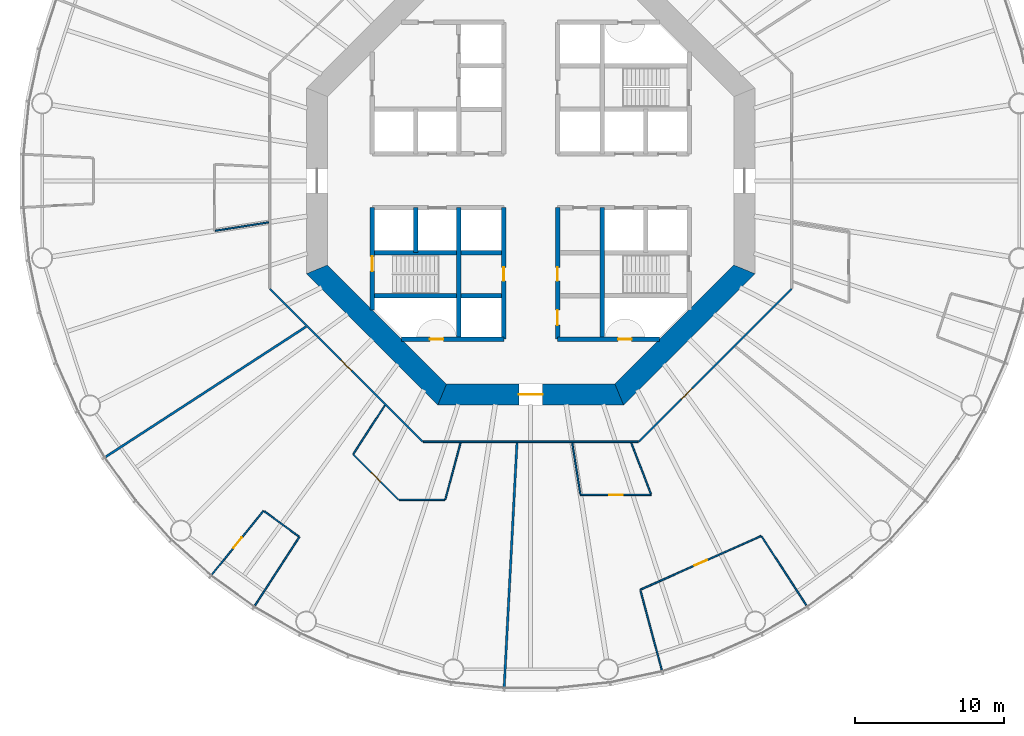
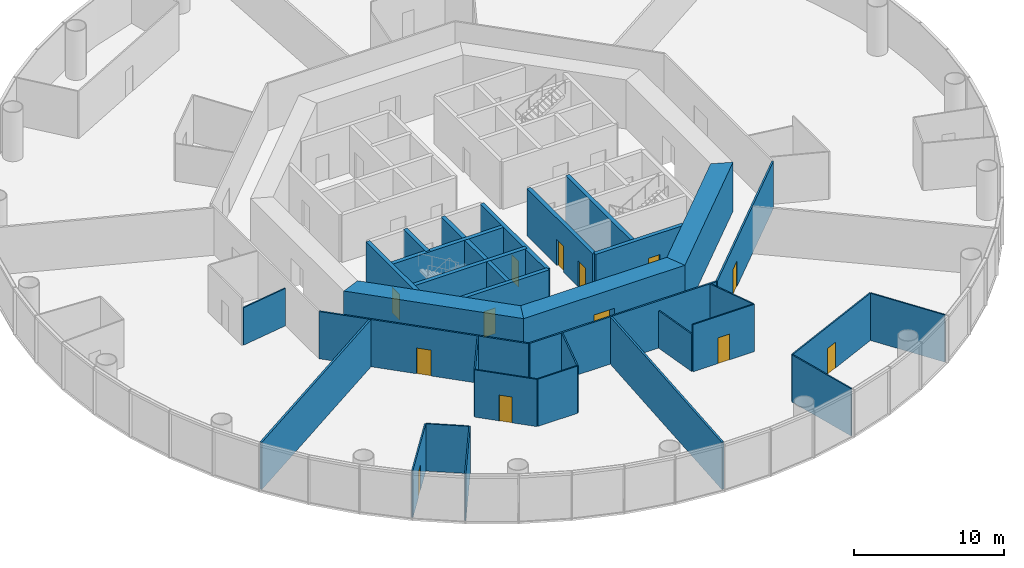
# One storey, part 3 of 13: 32 walls, 13 doors, 13 openings.
"""IFC4 building model written with IfcOpenShell, lengths in metres."""

from ifc_helpers import new_model, si_unit, direction, frame, frame_2d, origin, place, context, subcontext, project, spatial, polyline, rectangle, outline, extrude, material, layer, layer_set, type_object, element, fill, save


model = new_model("IFC4")

# Units and contexts
model_context = context("Model", 3, precision=1e-05, world=origin(), true_north=direction((0.0, 1.0)))
body_context = subcontext(model_context, "Body", "Model", "MODEL_VIEW")
ifc_project = project(units=[si_unit("LENGTHUNIT", "METRE"), si_unit("AREAUNIT", "SQUARE_METRE"), si_unit("VOLUMEUNIT", "CUBIC_METRE"), si_unit("PLANEANGLEUNIT", "RADIAN"), si_unit("MASSUNIT", "GRAM", prefix="KILO")], contexts=[model_context])

# Site, building, storey
site_placement = place(None, origin())
site = spatial("IfcSite", under=ifc_project, at=site_placement, CompositionType="ELEMENT")
building_placement = place(site_placement, origin())
building = spatial("IfcBuilding", under=site, at=building_placement, Name="Entoto Ring Tower", CompositionType="ELEMENT")
storey_placement = place(building_placement, frame((0.0, 0.0, 30.0)))
storey = spatial("IfcBuildingStorey", under=building, at=storey_placement, Name="L05", CompositionType="ELEMENT", Elevation=30.0)

# Wall
ifc_material_1 = material(Name="Concrete C40/50", Category="concrete")
ifc_layer_1 = layer(ifc_material_1, 0.300048828125)
ifc_layer_set_1 = layer_set([ifc_layer_1], Name="Concrete C40/50")
wall_type_1 = type_object("IfcWallType", Name="Core enclosure wall 300 mm reinforced concrete", PredefinedType="SOLIDWALL", material=ifc_layer_set_1)
wall_1_placement = place(storey_placement, frame((94.800048828125, 69.39990234375, 0.0), z_axis=(0.0, 0.0, 1.0), x_axis=(0.0, 1.0, 0.0)))
element("IfcWall", 1, at=wall_1_placement, inside=storey, type_object=wall_type_1, Name="wall-L05-005", PredefinedType="SOLIDWALL", context=body_context, shape_type="SweptSolid", body=[
    extrude(rectangle(XDim=8.800048828125, YDim=0.300048828125, at=frame_2d((4.39990234375, 0.0))), origin(), (0.0, 0.0, 1.0), 3.85009765625),
])

# Wall, openings, doors
wall_2_placement = place(storey_placement, frame((91.800048828125, 69.39990234375, 0.0), z_axis=(0.0, 0.0, 1.0), x_axis=(0.0, 1.0, 0.0)))
wall_2 = element("IfcWall", 2, at=wall_2_placement, inside=storey, type_object=wall_type_1, Name="wall-L05-007", PredefinedType="SOLIDWALL", context=body_context, shape_type="SweptSolid", body=[
    extrude(rectangle(XDim=8.800048828125, YDim=0.300048828125, at=frame_2d((4.39990234375, 0.0))), origin(), (0.0, 0.0, 1.0), 3.85009765625),
])
opening_1_placement = place(wall_2_placement, frame((3.89990234375, 0.0, 0.0)))
opening_1 = element("IfcOpeningElement", 3, at=opening_1_placement, cuts=wall_2, Name="Opening K-12", PredefinedType="OPENING", context=body_context, shape_type="SweptSolid", body=[
    extrude(rectangle(XDim=0.89990234375, YDim=2.10009765625, at=frame_2d((0.449951171875, 1.050048828125))), frame((0.0, 0.16015625, 0.0), z_axis=(0.0, -1.0, 0.0), x_axis=(1.0, 0.0, 0.0)), (0.0, 0.0, 1.0), 0.320068359375),
])
opening_2_placement = place(wall_2_placement, frame((0.949951171875, 0.0, 0.0)))
opening_2 = element("IfcOpeningElement", 4, at=opening_2_placement, cuts=wall_2, Name="Opening K-13", PredefinedType="OPENING", context=body_context, shape_type="SweptSolid", body=[
    extrude(rectangle(XDim=1.0, YDim=2.10009765625, at=frame_2d((0.5, 1.050048828125))), frame((0.0, 0.16015625, 0.0), z_axis=(0.0, -1.0, 0.0), x_axis=(1.0, 0.0, 0.0)), (0.0, 0.0, 1.0), 0.320068359375),
])
ifc_material_2 = material(Name="Steel door leaf, fire rated", Category="steel")
ifc_layer_2 = layer(ifc_material_2, 0.050048828125)
ifc_layer_set_2 = layer_set([ifc_layer_2], Name="Steel door leaf, fire rated")
door_type_1 = type_object("IfcDoorType", Name="Accessible door 1000 x 2100 single leaf", OperationType="NOTDEFINED", PredefinedType="DOOR", material=ifc_layer_set_2)
door_1_placement = place(opening_2_placement, frame((1.0, 0.0, 0.0), z_axis=(0.0, 0.0, 1.0), x_axis=(-1.0, 0.0, 0.0)))
door_1 = element("IfcDoor", 5, at=door_1_placement, inside=storey, type_object=door_type_1, Name="Door K-13", OperationType="SINGLE_SWING_LEFT", OverallHeight=2.10009765625, OverallWidth=1.0, PredefinedType="DOOR", context=body_context, shape_type="SweptSolid", body=[
    extrude(rectangle(XDim=1.0, YDim=2.10009765625, at=frame_2d((0.5, 1.050048828125))), frame((0.0, 0.02490234375, 0.0), z_axis=(0.0, -1.0, 0.0), x_axis=(1.0, 0.0, 0.0)), (0.0, 0.0, 1.0), 0.050048828125),
])
fill(opening_2, door_1)
ifc_material_3 = material(Name="Steel door leaf, fire rated", Category="steel")
ifc_layer_3 = layer(ifc_material_3, 0.050048828125)
ifc_layer_set_3 = layer_set([ifc_layer_3], Name="Steel door leaf, fire rated")
door_type_2 = type_object("IfcDoorType", Name="Core door 900 x 2100 single leaf", OperationType="NOTDEFINED", PredefinedType="DOOR", material=ifc_layer_set_3)
door_2_placement = place(opening_1_placement, frame((0.89990234375, 0.0, 0.0), z_axis=(0.0, 0.0, 1.0), x_axis=(-1.0, 0.0, 0.0)))
door_2 = element("IfcDoor", 6, at=door_2_placement, inside=storey, type_object=door_type_2, Name="Door K-12", OperationType="SINGLE_SWING_LEFT", OverallHeight=2.10009765625, OverallWidth=0.89990234375, PredefinedType="DOOR", context=body_context, shape_type="SweptSolid", body=[
    extrude(rectangle(XDim=0.89990234375, YDim=2.10009765625, at=frame_2d((0.449951171875, 1.050048828125))), frame((0.0, 0.02490234375, 0.0), z_axis=(0.0, -1.0, 0.0), x_axis=(1.0, 0.0, 0.0)), (0.0, 0.0, 1.0), 0.050048828125),
])
fill(opening_1, door_2)

# Wall, opening, door
wall_3_placement = place(storey_placement, frame((88.199951171875, 69.39990234375, 0.0), z_axis=(0.0, 0.0, 1.0), x_axis=(0.0, 1.0, 0.0)))
wall_3 = element("IfcWall", 7, at=wall_3_placement, inside=storey, type_object=wall_type_1, Name="wall-L05-009", PredefinedType="SOLIDWALL", context=body_context, shape_type="SweptSolid", body=[
    extrude(rectangle(XDim=8.800048828125, YDim=0.300048828125, at=frame_2d((4.39990234375, 0.0))), origin(), (0.0, 0.0, 1.0), 3.85009765625),
])
opening_3_placement = place(wall_3_placement, frame((3.89990234375, 0.0, 0.0)))
opening_3 = element("IfcOpeningElement", 8, at=opening_3_placement, cuts=wall_3, Name="Opening K-14", PredefinedType="OPENING", context=body_context, shape_type="SweptSolid", body=[
    extrude(rectangle(XDim=0.89990234375, YDim=2.10009765625, at=frame_2d((0.449951171875, 1.050048828125))), frame((0.0, 0.16015625, 0.0), z_axis=(0.0, -1.0, 0.0), x_axis=(1.0, 0.0, 0.0)), (0.0, 0.0, 1.0), 0.320068359375),
])
door_3_placement = place(opening_3_placement, origin())
door_3 = element("IfcDoor", 9, at=door_3_placement, inside=storey, type_object=door_type_2, Name="Door K-14", OperationType="SINGLE_SWING_RIGHT", OverallHeight=2.10009765625, OverallWidth=0.89990234375, PredefinedType="DOOR", context=body_context, shape_type="SweptSolid", body=[
    extrude(rectangle(XDim=0.89990234375, YDim=2.10009765625, at=frame_2d((0.449951171875, 1.050048828125))), frame((0.0, 0.02490234375, 0.0), z_axis=(0.0, -1.0, 0.0), x_axis=(1.0, 0.0, 0.0)), (0.0, 0.0, 1.0), 0.050048828125),
])
fill(opening_3, door_3)

# Walls
wall_4_placement = place(storey_placement, frame((85.199951171875, 69.39990234375, 0.0), z_axis=(0.0, 0.0, 1.0), x_axis=(0.0, 1.0, 0.0)))
element("IfcWall", 10, at=wall_4_placement, inside=storey, type_object=wall_type_1, Name="wall-L05-011", PredefinedType="SOLIDWALL", context=body_context, shape_type="SweptSolid", body=[
    extrude(rectangle(XDim=8.800048828125, YDim=0.300048828125, at=frame_2d((4.39990234375, 0.0))), origin(), (0.0, 0.0, 1.0), 3.85009765625),
])
wall_5_placement = place(storey_placement, frame((82.300048828125, 75.199951171875, 0.0), z_axis=(0.0, 0.0, 1.0), x_axis=(0.0, 1.0, 0.0)))
element("IfcWall", 11, at=wall_5_placement, inside=storey, type_object=wall_type_1, Name="wall-L05-013", PredefinedType="SOLIDWALL", context=body_context, shape_type="SweptSolid", body=[
    extrude(rectangle(XDim=3.0, YDim=0.300048828125, at=frame_2d((1.5, 0.0))), origin(), (0.0, 0.0, 1.0), 3.85009765625),
])

# Wall, opening, door
wall_6_placement = place(storey_placement, frame((79.39990234375, 71.36669921875, 0.0), z_axis=(0.0, 0.0, 1.0), x_axis=(0.0, 1.0, 0.0)))
wall_6 = element("IfcWall", 12, at=wall_6_placement, inside=storey, type_object=wall_type_1, Name="wall-L05-015", PredefinedType="SOLIDWALL", context=body_context, shape_type="SweptSolid", body=[
    extrude(rectangle(XDim=6.833251953125, YDim=0.300048828125, at=frame_2d((3.41650390625, 0.0))), origin(), (0.0, 0.0, 1.0), 3.85009765625),
])
opening_4_placement = place(wall_6_placement, frame((2.583251953125, 0.0, 0.0)))
opening_4 = element("IfcOpeningElement", 13, at=opening_4_placement, cuts=wall_6, Name="Opening K-59", PredefinedType="OPENING", context=body_context, shape_type="SweptSolid", body=[
    extrude(rectangle(XDim=1.0, YDim=2.10009765625, at=frame_2d((0.5, 1.050048828125))), frame((0.0, 0.16015625, 0.0), z_axis=(0.0, -1.0, 0.0), x_axis=(1.0, 0.0, 0.0)), (0.0, 0.0, 1.0), 0.320068359375),
])
ifc_material_4 = material(Name="Steel door leaf, fire rated", Category="steel")
ifc_layer_4 = layer(ifc_material_4, 0.050048828125)
ifc_layer_set_4 = layer_set([ifc_layer_4], Name="Steel door leaf, fire rated")
door_type_3 = type_object("IfcDoorType", Name="Fire door FD60 1000 x 2100 single leaf", OperationType="NOTDEFINED", PredefinedType="DOOR", material=ifc_layer_set_4)
door_4_placement = place(opening_4_placement, frame((1.0, 0.0, 0.0), z_axis=(0.0, 0.0, 1.0), x_axis=(-1.0, 0.0, 0.0)))
door_4 = element("IfcDoor", 14, at=door_4_placement, inside=storey, type_object=door_type_3, Name="Door K-59", OperationType="SINGLE_SWING_LEFT", OverallHeight=2.10009765625, OverallWidth=1.0, PredefinedType="DOOR", context=body_context, shape_type="SweptSolid", body=[
    extrude(rectangle(XDim=1.0, YDim=2.10009765625, at=frame_2d((0.5, 1.050048828125))), frame((0.0, 0.02490234375, 0.0), z_axis=(0.0, -1.0, 0.0), x_axis=(1.0, 0.0, 0.0)), (0.0, 0.0, 1.0), 0.050048828125),
])
fill(opening_4, door_4)

wall_7_placement = place(storey_placement, frame((81.36669921875, 69.39990234375, 0.0), z_axis=(0.0, 0.0, 1.0), x_axis=(1.0, 0.0, 0.0)))
wall_7 = element("IfcWall", 15, at=wall_7_placement, inside=storey, type_object=wall_type_1, Name="wall-L05-017", PredefinedType="SOLIDWALL", context=body_context, shape_type="SweptSolid", body=[
    extrude(rectangle(XDim=6.833251953125, YDim=0.300048828125, at=frame_2d((3.41650390625, 0.0))), origin(), (0.0, 0.0, 1.0), 3.85009765625),
])
opening_5_placement = place(wall_7_placement, frame((1.88330078125, 0.0, 0.0)))
opening_5 = element("IfcOpeningElement", 16, at=opening_5_placement, cuts=wall_7, Name="Opening K-66", PredefinedType="OPENING", context=body_context, shape_type="SweptSolid", body=[
    extrude(rectangle(XDim=0.89990234375, YDim=2.10009765625, at=frame_2d((0.449951171875, 1.050048828125))), frame((0.0, 0.16015625, 0.0), z_axis=(0.0, -1.0, 0.0), x_axis=(1.0, 0.0, 0.0)), (0.0, 0.0, 1.0), 0.320068359375),
])
ifc_material_5 = material(Name="Steel door leaf, fire rated", Category="steel")
ifc_layer_5 = layer(ifc_material_5, 0.050048828125)
ifc_layer_set_5 = layer_set([ifc_layer_5], Name="Steel door leaf, fire rated")
door_type_4 = type_object("IfcDoorType", Name="Riser door FD60 900 x 2100 single leaf", OperationType="NOTDEFINED", PredefinedType="DOOR", material=ifc_layer_set_5)
door_5_placement = place(opening_5_placement, origin())
door_5 = element("IfcDoor", 17, at=door_5_placement, inside=storey, type_object=door_type_4, Name="Door K-66", OperationType="SINGLE_SWING_RIGHT", OverallHeight=2.10009765625, OverallWidth=0.89990234375, PredefinedType="DOOR", context=body_context, shape_type="SweptSolid", body=[
    extrude(rectangle(XDim=0.89990234375, YDim=2.10009765625, at=frame_2d((0.449951171875, 1.050048828125))), frame((0.0, 0.02490234375, 0.0), z_axis=(0.0, -1.0, 0.0), x_axis=(1.0, 0.0, 0.0)), (0.0, 0.0, 1.0), 0.050048828125),
])
fill(opening_5, door_5)

wall_8_placement = place(storey_placement, frame((91.800048828125, 69.39990234375, 0.0), z_axis=(0.0, 0.0, 1.0), x_axis=(1.0, 0.0, 0.0)))
wall_8 = element("IfcWall", 18, at=wall_8_placement, inside=storey, type_object=wall_type_1, Name="wall-L05-018", PredefinedType="SOLIDWALL", context=body_context, shape_type="SweptSolid", body=[
    extrude(rectangle(XDim=6.833251953125, YDim=0.300048828125, at=frame_2d((3.41650390625, 0.0))), origin(), (0.0, 0.0, 1.0), 3.85009765625),
])
opening_6_placement = place(wall_8_placement, frame((4.050048828125, 0.0, 0.0)))
opening_6 = element("IfcOpeningElement", 19, at=opening_6_placement, cuts=wall_8, Name="Opening K-68", PredefinedType="OPENING", context=body_context, shape_type="SweptSolid", body=[
    extrude(rectangle(XDim=0.89990234375, YDim=2.10009765625, at=frame_2d((0.449951171875, 1.050048828125))), frame((0.0, 0.16015625, 0.0), z_axis=(0.0, -1.0, 0.0), x_axis=(1.0, 0.0, 0.0)), (0.0, 0.0, 1.0), 0.320068359375),
])
door_6_placement = place(opening_6_placement, origin())
door_6 = element("IfcDoor", 20, at=door_6_placement, inside=storey, type_object=door_type_4, Name="Door K-68", OperationType="SINGLE_SWING_LEFT", OverallHeight=2.10009765625, OverallWidth=0.89990234375, PredefinedType="DOOR", context=body_context, shape_type="SweptSolid", body=[
    extrude(rectangle(XDim=0.89990234375, YDim=2.10009765625, at=frame_2d((0.449951171875, 1.050048828125))), frame((0.0, 0.02490234375, 0.0), z_axis=(0.0, -1.0, 0.0), x_axis=(1.0, 0.0, 0.0)), (0.0, 0.0, 1.0), 0.050048828125),
])
fill(opening_6, door_6)

# Walls
for number, where, z_axis, x_axis, name in (
    (21, (79.39990234375, 72.300048828125, 0.0), (0.0, 0.0, 1.0), (1.0, 0.0, 0.0), "wall-L05-019"),
    (22, (79.39990234375, 75.199951171875, 0.0), (0.0, 0.0, 1.0), (1.0, 0.0, 0.0), "wall-L05-021"),
):
    element("IfcWall", number, at=place(storey_placement, frame(where, z_axis=z_axis, x_axis=x_axis)), inside=storey, type_object=wall_type_1, Name=name, PredefinedType="SOLIDWALL", context=body_context, shape_type="SweptSolid", body=[
        extrude(rectangle(XDim=8.800048828125, YDim=0.300048828125, at=frame_2d((4.39990234375, 0.0))), origin(), (0.0, 0.0, 1.0), 3.85009765625),
    ])
ifc_material_6 = material(Name="Concrete C60/75", Category="concrete")
ifc_layer_6 = layer(ifc_material_6, 1.39990234375)
ifc_layer_set_6 = layer_set([ifc_layer_6], Name="Concrete C60/75")
wall_type_2 = type_object("IfcWallType", Name="Core shear wall 1400 mm reinforced concrete C60/75", PredefinedType="SHEAR", material=ifc_layer_set_6)
wall_9_placement = place(storey_placement, frame((75.699951171875, 74.07666015625, 0.0), z_axis=(0.0, 0.0, 1.0), x_axis=(0.707106781187, -0.707106781187, 0.0)))
element("IfcWall", 23, at=wall_9_placement, inside=storey, type_object=wall_type_2, Name="wall-L05-core-5", PredefinedType="SHEAR", context=body_context, shape_type="SweptSolid", body=[
    extrude(outline(polyline([(-0.2900390625, -0.699951171875), (12.136474609375, -0.699951171875), (11.556396484375, 0.699951171875), (0.2900390625, 0.699951171875), (-0.2900390625, -0.699951171875)])), origin(), (0.0, 0.0, 1.0), 4.0),
])

# Wall, opening, door
wall_10_placement = place(storey_placement, frame((84.07666015625, 65.699951171875, 0.0), z_axis=(0.0, 0.0, 1.0), x_axis=(1.0, 0.0, 0.0)))
wall_10 = element("IfcWall", 24, at=wall_10_placement, inside=storey, type_object=wall_type_2, Name="wall-L05-core-6", PredefinedType="SHEAR", context=body_context, shape_type="SweptSolid", body=[
    extrude(outline(polyline([(-0.2900390625, -0.699951171875), (12.13671875, -0.699951171875), (11.556640625, 0.699951171875), (0.2900390625, 0.699951171875), (-0.2900390625, -0.699951171875)])), origin(), (0.0, 0.0, 1.0), 4.0),
])
opening_7_placement = place(wall_10_placement, frame((5.123291015625, 0.0, 0.0)))
opening_7 = element("IfcOpeningElement", 25, at=opening_7_placement, cuts=wall_10, Name="Opening K-04", PredefinedType="OPENING", context=body_context, shape_type="SweptSolid", body=[
    extrude(rectangle(XDim=1.60009765625, YDim=2.39990234375, at=frame_2d((0.800048828125, 1.199951171875))), frame((0.0, 0.7099609375, 0.0), z_axis=(0.0, -1.0, 0.0), x_axis=(1.0, 0.0, 0.0)), (0.0, 0.0, 1.0), 1.419921875),
])
ifc_material_7 = material(Name="Steel door leaf, fire rated", Category="steel")
ifc_layer_7 = layer(ifc_material_7, 0.050048828125)
ifc_layer_set_7 = layer_set([ifc_layer_7], Name="Steel door leaf, fire rated")
door_type_5 = type_object("IfcDoorType", Name="Entrance door FD60 1600 x 2400 double leaf", OperationType="DOUBLE_DOOR_SINGLE_SWING", PredefinedType="DOOR", material=ifc_layer_set_7)
door_7_placement = place(opening_7_placement, origin())
door_7 = element("IfcDoor", 26, at=door_7_placement, inside=storey, type_object=door_type_5, Name="Entrance door K-04", OperationType="DOUBLE_DOOR_SINGLE_SWING", OverallHeight=2.39990234375, OverallWidth=1.60009765625, PredefinedType="DOOR", context=body_context, shape_type="SweptSolid", body=[
    extrude(rectangle(XDim=1.60009765625, YDim=2.39990234375, at=frame_2d((0.800048828125, 1.199951171875))), frame((0.0, 0.02490234375, 0.0), z_axis=(0.0, -1.0, 0.0), x_axis=(1.0, 0.0, 0.0)), (0.0, 0.0, 1.0), 0.050048828125),
])
fill(opening_7, door_7)

# Wall
wall_11_placement = place(storey_placement, frame((95.92333984375, 65.699951171875, 0.0), z_axis=(0.0, 0.0, 1.0), x_axis=(0.707106781187, 0.707106781187, 0.0)))
element("IfcWall", 27, at=wall_11_placement, inside=storey, type_object=wall_type_2, Name="wall-L05-core-7", PredefinedType="SHEAR", context=body_context, shape_type="SweptSolid", body=[
    extrude(outline(polyline([(-0.2900390625, -0.699951171875), (12.136474609375, -0.699951171875), (11.556396484375, 0.699951171875), (0.2900390625, 0.699951171875), (-0.2900390625, -0.699951171875)])), origin(), (0.0, 0.0, 1.0), 4.0),
])

# Wall, opening, door
ifc_material_8 = material(Name="Fire-resisting plasterboard on steel studs", Category="steel")
ifc_layer_8 = layer(ifc_material_8, 0.125)
ifc_layer_set_8 = layer_set([ifc_layer_8], Name="Fire-resisting plasterboard on steel studs")
wall_type_3 = type_object("IfcWallType", Name="Corridor wall 125 mm one-hour plasterboard on steel studs", PredefinedType="PARTITIONING", material=ifc_layer_set_8)
wall_12_placement = place(storey_placement, frame((82.766845703125, 62.53759765625, 0.0), z_axis=(0.0, 0.0, 1.0), x_axis=(-0.707106781187, 0.707106781187, 0.0)))
wall_12 = element("IfcWall", 28, at=wall_12_placement, inside=storey, type_object=wall_type_3, Name="partition-L05-002", PredefinedType="PARTITIONING", context=body_context, shape_type="SweptSolid", body=[
    extrude(rectangle(XDim=14.46630859375, YDim=0.125, at=frame_2d((7.233154296875, 0.0))), origin(), (0.0, 0.0, 1.0), 3.85009765625),
])
opening_8_placement = place(wall_12_placement, frame((6.733154296875, 0.0, 0.0)))
opening_8 = element("IfcOpeningElement", 29, at=opening_8_placement, cuts=wall_12, Name="Opening A03-D01", PredefinedType="OPENING", context=body_context, shape_type="SweptSolid", body=[
    extrude(rectangle(XDim=1.0, YDim=2.10009765625, at=frame_2d((0.5, 1.050048828125))), frame((0.0, 0.072509765625, 0.0), z_axis=(0.0, -1.0, 0.0), x_axis=(1.0, 0.0, 0.0)), (0.0, 0.0, 1.0), 0.14501953125),
])
ifc_material_9 = material(Name="Fire-resisting timber door set", Category="wood")
door_type_6 = type_object("IfcDoorType", Name="Door 1000 x 2100 single leaf FD30S fire door", OperationType="NOTDEFINED", PredefinedType="DOOR", material=ifc_material_9)
door_8_placement = place(opening_8_placement, origin())
door_8 = element("IfcDoor", 30, at=door_8_placement, inside=storey, type_object=door_type_6, Name="Door A03-D01", OperationType="SINGLE_SWING_LEFT", OverallHeight=2.10009765625, OverallWidth=1.0, PredefinedType="DOOR", context=body_context, shape_type="SweptSolid", body=[
    extrude(rectangle(XDim=1.0, YDim=2.10009765625, at=frame_2d((0.5, 1.050048828125))), frame((0.0, 0.02490234375, 0.0), z_axis=(0.0, -1.0, 0.0), x_axis=(1.0, 0.0, 0.0)), (0.0, 0.0, 1.0), 0.050048828125),
])
fill(opening_8, door_8)

wall_13_placement = place(storey_placement, frame((97.233154296875, 62.53759765625, 0.0), z_axis=(0.0, 0.0, 1.0), x_axis=(0.707106781187, 0.707106781187, 0.0)))
wall_13 = element("IfcWall", 31, at=wall_13_placement, inside=storey, type_object=wall_type_3, Name="partition-L05-003", PredefinedType="PARTITIONING", context=body_context, shape_type="SweptSolid", body=[
    extrude(rectangle(XDim=14.46630859375, YDim=0.125, at=frame_2d((7.233154296875, 0.0))), origin(), (0.0, 0.0, 1.0), 3.85009765625),
])
opening_9_placement = place(wall_13_placement, frame((4.0341796875, 0.0, 0.0)))
opening_9 = element("IfcOpeningElement", 32, at=opening_9_placement, cuts=wall_13, Name="Opening A03-D04", PredefinedType="OPENING", context=body_context, shape_type="SweptSolid", body=[
    extrude(rectangle(XDim=1.0, YDim=2.10009765625, at=frame_2d((0.5, 1.050048828125))), frame((0.0, 0.072509765625, 0.0), z_axis=(0.0, -1.0, 0.0), x_axis=(1.0, 0.0, 0.0)), (0.0, 0.0, 1.0), 0.14501953125),
])
door_9_placement = place(opening_9_placement, frame((1.0, 0.0, 0.0), z_axis=(0.0, 0.0, 1.0), x_axis=(-1.0, 0.0, 0.0)))
door_9 = element("IfcDoor", 33, at=door_9_placement, inside=storey, type_object=door_type_6, Name="Door A03-D04", OperationType="SINGLE_SWING_LEFT", OverallHeight=2.10009765625, OverallWidth=1.0, PredefinedType="DOOR", context=body_context, shape_type="SweptSolid", body=[
    extrude(rectangle(XDim=1.0, YDim=2.10009765625, at=frame_2d((0.5, 1.050048828125))), frame((0.0, 0.02490234375, 0.0), z_axis=(0.0, -1.0, 0.0), x_axis=(1.0, 0.0, 0.0)), (0.0, 0.0, 1.0), 0.050048828125),
])
fill(opening_9, door_9)

# Wall
wall_14_placement = place(storey_placement, frame((82.810791015625, 62.53759765625, 0.0), z_axis=(0.0, 0.0, 1.0), x_axis=(1.0, 0.0, 0.0)))
element("IfcWall", 34, at=wall_14_placement, inside=storey, type_object=wall_type_3, Name="partition-L05-006", PredefinedType="PARTITIONING", context=body_context, shape_type="SweptSolid", body=[
    extrude(rectangle(XDim=14.37841796875, YDim=0.125, at=frame_2d((7.189208984375, 0.0))), origin(), (0.0, 0.0, 1.0), 3.85009765625),
])

# Wall, opening, door
ifc_material_10 = material(Name="Plasterboard on steel studs", Category="steel")
ifc_layer_9 = layer(ifc_material_10, 0.10009765625)
ifc_layer_set_9 = layer_set([ifc_layer_9], Name="Plasterboard on steel studs")
wall_type_4 = type_object("IfcWallType", Name="Partition 100 mm plasterboard on steel studs", PredefinedType="PARTITIONING", material=ifc_layer_set_9)
wall_15_placement = place(storey_placement, frame((97.332275390625, 52.63525390625, 0.0), z_axis=(0.0, 0.0, 1.0), x_axis=(0.9135444322, 0.406738946251, 0.0)))
wall_15 = element("IfcWall", 35, at=wall_15_placement, inside=storey, type_object=wall_type_4, Name="partition-L05-016", PredefinedType="PARTITIONING", context=body_context, shape_type="SweptSolid", body=[
    extrude(rectangle(XDim=8.86376953125, YDim=0.10009765625, at=frame_2d((4.431884765625, 0.0))), origin(), (0.0, 0.0, 1.0), 3.85009765625),
])
opening_10_placement = place(wall_15_placement, frame((3.981689453125, 0.0, 0.0)))
opening_10 = element("IfcOpeningElement", 36, at=opening_10_placement, cuts=wall_15, Name="Opening A03-D06", PredefinedType="OPENING", context=body_context, shape_type="SweptSolid", body=[
    extrude(rectangle(XDim=0.89990234375, YDim=2.10009765625, at=frame_2d((0.449951171875, 1.050048828125))), frame((0.0, 0.06005859375, 0.0), z_axis=(0.0, -1.0, 0.0), x_axis=(1.0, 0.0, 0.0)), (0.0, 0.0, 1.0), 0.1201171875),
])
ifc_material_11 = material(Name="Veneered timber door leaf in timber frame", Category="wood")
door_type_7 = type_object("IfcDoorType", Name="Door 900 x 2100 single leaf timber veneer", OperationType="NOTDEFINED", PredefinedType="DOOR", material=ifc_material_11)
door_10_placement = place(opening_10_placement, frame((0.89990234375, 0.0, 0.0), z_axis=(0.0, 0.0, 1.0), x_axis=(-1.0, 0.0, 0.0)))
door_10 = element("IfcDoor", 37, at=door_10_placement, inside=storey, type_object=door_type_7, Name="Door A03-D06", OperationType="SINGLE_SWING_RIGHT", OverallHeight=2.10009765625, OverallWidth=0.89990234375, PredefinedType="DOOR", context=body_context, shape_type="SweptSolid", body=[
    extrude(rectangle(XDim=0.89990234375, YDim=2.10009765625, at=frame_2d((0.449951171875, 1.050048828125))), frame((0.0, 0.02490234375, 0.0), z_axis=(0.0, -1.0, 0.0), x_axis=(1.0, 0.0, 0.0)), (0.0, 0.0, 1.0), 0.050048828125),
])
fill(opening_10, door_10)

# Walls
wall_16_placement = place(storey_placement, frame((108.485107421875, 51.535400390625, 0.0), z_axis=(0.0, 0.0, 1.0), x_axis=(-0.544619479933, 0.83868326684, 0.0)))
element("IfcWall", 38, at=wall_16_placement, inside=storey, type_object=wall_type_4, Name="partition-L05-021", PredefinedType="PARTITIONING", context=body_context, shape_type="SweptSolid", body=[
    extrude(rectangle(XDim=5.560791015625, YDim=0.10009765625, at=frame_2d((2.7802734375, 0.0))), origin(), (0.0, 0.0, 1.0), 3.85009765625),
])
wall_17_placement = place(storey_placement, frame((98.7841796875, 47.216552734375, 0.0), z_axis=(0.0, 0.0, 1.0), x_axis=(-0.258782904223, 0.965935509484, 0.0)))
element("IfcWall", 39, at=wall_17_placement, inside=storey, type_object=wall_type_4, Name="partition-L05-022", PredefinedType="PARTITIONING", context=body_context, shape_type="SweptSolid", body=[
    extrude(rectangle(XDim=5.560546875, YDim=0.10009765625, at=frame_2d((2.7802734375, 0.0))), origin(), (0.0, 0.0, 1.0), 3.85009765625),
])

# Wall, opening, door
wall_18_placement = place(storey_placement, frame((68.640869140625, 53.623779296875, 0.0), z_axis=(0.0, 0.0, 1.0), x_axis=(0.62933030084, 0.777137936562, 0.0)))
wall_18 = element("IfcWall", 40, at=wall_18_placement, inside=storey, type_object=wall_type_4, Name="partition-L05-023", PredefinedType="PARTITIONING", context=body_context, shape_type="SweptSolid", body=[
    extrude(rectangle(XDim=5.530029296875, YDim=0.10009765625, at=frame_2d((2.76513671875, 0.0))), origin(), (0.0, 0.0, 1.0), 3.85009765625),
])
opening_11_placement = place(wall_18_placement, frame((2.31494140625, 0.0, 0.0)))
opening_11 = element("IfcOpeningElement", 41, at=opening_11_placement, cuts=wall_18, Name="Opening A03-D03", PredefinedType="OPENING", context=body_context, shape_type="SweptSolid", body=[
    extrude(rectangle(XDim=0.89990234375, YDim=2.10009765625, at=frame_2d((0.449951171875, 1.050048828125))), frame((0.0, 0.06005859375, 0.0), z_axis=(0.0, -1.0, 0.0), x_axis=(1.0, 0.0, 0.0)), (0.0, 0.0, 1.0), 0.1201171875),
])
door_11_placement = place(opening_11_placement, frame((0.89990234375, 0.0, 0.0), z_axis=(0.0, 0.0, 1.0), x_axis=(-1.0, 0.0, 0.0)))
door_11 = element("IfcDoor", 42, at=door_11_placement, inside=storey, type_object=door_type_7, Name="Door A03-D03", OperationType="SINGLE_SWING_RIGHT", OverallHeight=2.10009765625, OverallWidth=0.89990234375, PredefinedType="DOOR", context=body_context, shape_type="SweptSolid", body=[
    extrude(rectangle(XDim=0.89990234375, YDim=2.10009765625, at=frame_2d((0.449951171875, 1.050048828125))), frame((0.0, 0.02490234375, 0.0), z_axis=(0.0, -1.0, 0.0), x_axis=(1.0, 0.0, 0.0)), (0.0, 0.0, 1.0), 0.050048828125),
])
fill(opening_11, door_11)

# Wall
wall_19_placement = place(storey_placement, frame((71.514892578125, 51.535400390625, 0.0), z_axis=(0.0, 0.0, 1.0), x_axis=(0.544645368081, 0.83866645517, 0.0)))
element("IfcWall", 43, at=wall_19_placement, inside=storey, type_object=wall_type_4, Name="partition-L05-024", PredefinedType="PARTITIONING", context=body_context, shape_type="SweptSolid", body=[
    extrude(rectangle(XDim=5.530029296875, YDim=0.10009765625, at=frame_2d((2.76513671875, 0.0))), origin(), (0.0, 0.0, 1.0), 3.85009765625),
])

# Wall, opening, door
wall_20_placement = place(storey_placement, frame((93.32958984375, 58.9775390625, 0.0), z_axis=(0.0, 0.0, 1.0), x_axis=(1.0, 0.0, 0.0)))
wall_20 = element("IfcWall", 44, at=wall_20_placement, inside=storey, type_object=wall_type_4, Name="partition-L05-030", PredefinedType="PARTITIONING", context=body_context, shape_type="SweptSolid", body=[
    extrude(rectangle(XDim=4.740234375, YDim=0.10009765625, at=frame_2d((2.3701171875, 0.0))), origin(), (0.0, 0.0, 1.0), 3.85009765625),
])
opening_12_placement = place(wall_20_placement, frame((1.920166015625, 0.0, 0.0)))
opening_12 = element("IfcOpeningElement", 45, at=opening_12_placement, cuts=wall_20, Name="Opening A03-D05", PredefinedType="OPENING", context=body_context, shape_type="SweptSolid", body=[
    extrude(rectangle(XDim=0.89990234375, YDim=2.10009765625, at=frame_2d((0.449951171875, 1.050048828125))), frame((0.0, 0.06005859375, 0.0), z_axis=(0.0, -1.0, 0.0), x_axis=(1.0, 0.0, 0.0)), (0.0, 0.0, 1.0), 0.1201171875),
])
door_12_placement = place(opening_12_placement, origin())
door_12 = element("IfcDoor", 46, at=door_12_placement, inside=storey, type_object=door_type_7, Name="Door A03-D05", OperationType="SINGLE_SWING_RIGHT", OverallHeight=2.10009765625, OverallWidth=0.89990234375, PredefinedType="DOOR", context=body_context, shape_type="SweptSolid", body=[
    extrude(rectangle(XDim=0.89990234375, YDim=2.10009765625, at=frame_2d((0.449951171875, 1.050048828125))), frame((0.0, 0.02490234375, 0.0), z_axis=(0.0, -1.0, 0.0), x_axis=(1.0, 0.0, 0.0)), (0.0, 0.0, 1.0), 0.050048828125),
])
fill(opening_12, door_12)

wall_21_placement = place(storey_placement, frame((81.15966796875, 58.657470703125, 0.0), z_axis=(0.0, 0.0, 1.0), x_axis=(-0.707106781187, 0.707106781187, 0.0)))
wall_21 = element("IfcWall", 47, at=wall_21_placement, inside=storey, type_object=wall_type_4, Name="partition-L05-039", PredefinedType="PARTITIONING", context=body_context, shape_type="SweptSolid", body=[
    extrude(rectangle(XDim=4.3037109375, YDim=0.10009765625, at=frame_2d((2.15185546875, 0.0))), origin(), (0.0, 0.0, 1.0), 3.85009765625),
])
opening_13_placement = place(wall_21_placement, frame((1.701904296875, 0.0, 0.0)))
opening_13 = element("IfcOpeningElement", 48, at=opening_13_placement, cuts=wall_21, Name="Opening A03-D02", PredefinedType="OPENING", context=body_context, shape_type="SweptSolid", body=[
    extrude(rectangle(XDim=0.89990234375, YDim=2.10009765625, at=frame_2d((0.449951171875, 1.050048828125))), frame((0.0, 0.06005859375, 0.0), z_axis=(0.0, -1.0, 0.0), x_axis=(1.0, 0.0, 0.0)), (0.0, 0.0, 1.0), 0.1201171875),
])
door_13_placement = place(opening_13_placement, frame((0.89990234375, 0.0, 0.0), z_axis=(0.0, 0.0, 1.0), x_axis=(-1.0, 0.0, 0.0)))
door_13 = element("IfcDoor", 49, at=door_13_placement, inside=storey, type_object=door_type_7, Name="Door A03-D02", OperationType="SINGLE_SWING_LEFT", OverallHeight=2.10009765625, OverallWidth=0.89990234375, PredefinedType="DOOR", context=body_context, shape_type="SweptSolid", body=[
    extrude(rectangle(XDim=0.89990234375, YDim=2.10009765625, at=frame_2d((0.449951171875, 1.050048828125))), frame((0.0, 0.02490234375, 0.0), z_axis=(0.0, -1.0, 0.0), x_axis=(1.0, 0.0, 0.0)), (0.0, 0.0, 1.0), 0.050048828125),
])
fill(opening_13, door_13)

# Walls
wall_22_placement = place(storey_placement, frame((84.28125, 58.657470703125, 0.0), z_axis=(0.0, 0.0, 1.0), x_axis=(0.258835224939, 0.96592149077, 0.0)))
element("IfcWall", 50, at=wall_22_placement, inside=storey, type_object=wall_type_4, Name="partition-L05-041", PredefinedType="PARTITIONING", context=body_context, shape_type="SweptSolid", body=[
    extrude(rectangle(XDim=3.93896484375, YDim=0.10009765625, at=frame_2d((1.969482421875, 0.0))), origin(), (0.0, 0.0, 1.0), 3.85009765625),
])
wall_23_placement = place(storey_placement, frame((78.142822265625, 61.74169921875, 0.0), z_axis=(0.0, 0.0, 1.0), x_axis=(0.54463329585, 0.838674294975, 0.0)))
element("IfcWall", 51, at=wall_23_placement, inside=storey, type_object=wall_type_4, Name="partition-L05-042", PredefinedType="PARTITIONING", context=body_context, shape_type="SweptSolid", body=[
    extrude(rectangle(XDim=3.843505859375, YDim=0.10009765625, at=frame_2d((1.921875, 0.0))), origin(), (0.0, 0.0, 1.0), 3.85009765625),
])
wall_24_placement = place(storey_placement, frame((98.043701171875, 59.04541015625, 0.0), z_axis=(0.0, 0.0, 1.0), x_axis=(-0.35839706754, 0.933569248625, 0.0)))
element("IfcWall", 52, at=wall_24_placement, inside=storey, type_object=wall_type_4, Name="partition-L05-044", PredefinedType="PARTITIONING", context=body_context, shape_type="SweptSolid", body=[
    extrude(rectangle(XDim=3.654541015625, YDim=0.10009765625, at=frame_2d((1.8271484375, 0.0))), origin(), (0.0, 0.0, 1.0), 3.85009765625),
])
wall_25_placement = place(storey_placement, frame((81.19482421875, 58.657470703125, 0.0), z_axis=(0.0, 0.0, 1.0), x_axis=(1.0, 0.0, 0.0)))
element("IfcWall", 53, at=wall_25_placement, inside=storey, type_object=wall_type_4, Name="partition-L05-048", PredefinedType="PARTITIONING", context=body_context, shape_type="SweptSolid", body=[
    extrude(rectangle(XDim=3.038330078125, YDim=0.10009765625, at=frame_2d((1.51904296875, 0.0))), origin(), (0.0, 0.0, 1.0), 3.85009765625),
])
wall_26_placement = place(storey_placement, frame((74.486328125, 56.20263671875, 0.0), z_axis=(0.0, 0.0, 1.0), x_axis=(-0.809011520209, 0.587792786761, 0.0)))
element("IfcWall", 54, at=wall_26_placement, inside=storey, type_object=wall_type_4, Name="partition-L05-051", PredefinedType="PARTITIONING", context=body_context, shape_type="SweptSolid", body=[
    extrude(rectangle(XDim=2.873779296875, YDim=0.10009765625, at=frame_2d((1.43701171875, 0.0))), origin(), (0.0, 0.0, 1.0), 3.85009765625),
])
ifc_material_12 = material(Name="Plasterboard on steel studs", Category="steel")
ifc_layer_10 = layer(ifc_material_12, 0.10009765625)
ifc_layer_set_10 = layer_set([ifc_layer_10], Name="Plasterboard on steel studs")
wall_type_5 = type_object("IfcWallType", Name="Partition 100 mm plasterboard on steel studs, 3050 mm high", PredefinedType="PARTITIONING", material=ifc_layer_set_10)
wall_27_placement = place(storey_placement, frame((68.895263671875, 76.6572265625, 0.0), z_axis=(0.0, 0.0, 1.0), x_axis=(0.987681275656, 0.156479064792, 0.0)))
element("IfcWall", 55, at=wall_27_placement, inside=storey, type_object=wall_type_5, Name="partition-L05-045", PredefinedType="PARTITIONING", context=body_context, shape_type="SweptSolid", body=[
    extrude(rectangle(XDim=3.616455078125, YDim=0.10009765625, at=frame_2d((1.80810546875, 0.0))), origin(), (0.0, 0.0, 1.0), 3.050048828125),
])
wall_28_placement = place(storey_placement, frame((93.322021484375, 59.026123046875, 0.0), z_axis=(0.0, 0.0, 1.0), x_axis=(-0.156473519012, 0.987682154262, 0.0)))
element("IfcWall", 56, at=wall_28_placement, inside=storey, type_object=wall_type_5, Name="partition-L05-047", PredefinedType="PARTITIONING", context=body_context, shape_type="SweptSolid", body=[
    extrude(rectangle(XDim=3.484130859375, YDim=0.10009765625, at=frame_2d((1.7421875, 0.0))), origin(), (0.0, 0.0, 1.0), 3.050048828125),
])
ifc_material_13 = material(Name="Fire-resisting acoustic plasterboard on steel studs", Category="steel")
ifc_layer_11 = layer(ifc_material_13, 0.14990234375)
ifc_layer_set_11 = layer_set([ifc_layer_11], Name="Fire-resisting acoustic plasterboard on steel studs")
wall_type_6 = type_object("IfcWallType", Name="Party wall 150 mm one-hour acoustic plasterboard on steel studs", PredefinedType="PARTITIONING", material=ifc_layer_set_11)
wall_29_placement = place(storey_placement, frame((88.2236328125, 46.1064453125, 0.0), z_axis=(0.0, 0.0, 1.0), x_axis=(0.052337539372, 0.998629451785, 0.0)))
element("IfcWall", 57, at=wall_29_placement, inside=storey, type_object=wall_type_6, Name="partition-L05-009", PredefinedType="PARTITIONING", context=body_context, shape_type="SweptSolid", body=[
    extrude(rectangle(XDim=16.38720703125, YDim=0.14990234375, at=frame_2d((8.193603515625, 0.0))), origin(), (0.0, 0.0, 1.0), 3.85009765625),
])
wall_30_placement = place(storey_placement, frame((61.535400390625, 61.514892578125, 0.0), z_axis=(0.0, 0.0, 1.0), x_axis=(0.838670035364, 0.544639855117, 0.0)))
element("IfcWall", 58, at=wall_30_placement, inside=storey, type_object=wall_type_6, Name="partition-L05-012", PredefinedType="PARTITIONING", context=body_context, shape_type="SweptSolid", body=[
    extrude(rectangle(XDim=16.0078125, YDim=0.14990234375, at=frame_2d((8.00390625, 0.0))), origin(), (0.0, 0.0, 1.0), 3.85009765625),
])

save(model, "model.ifc")
